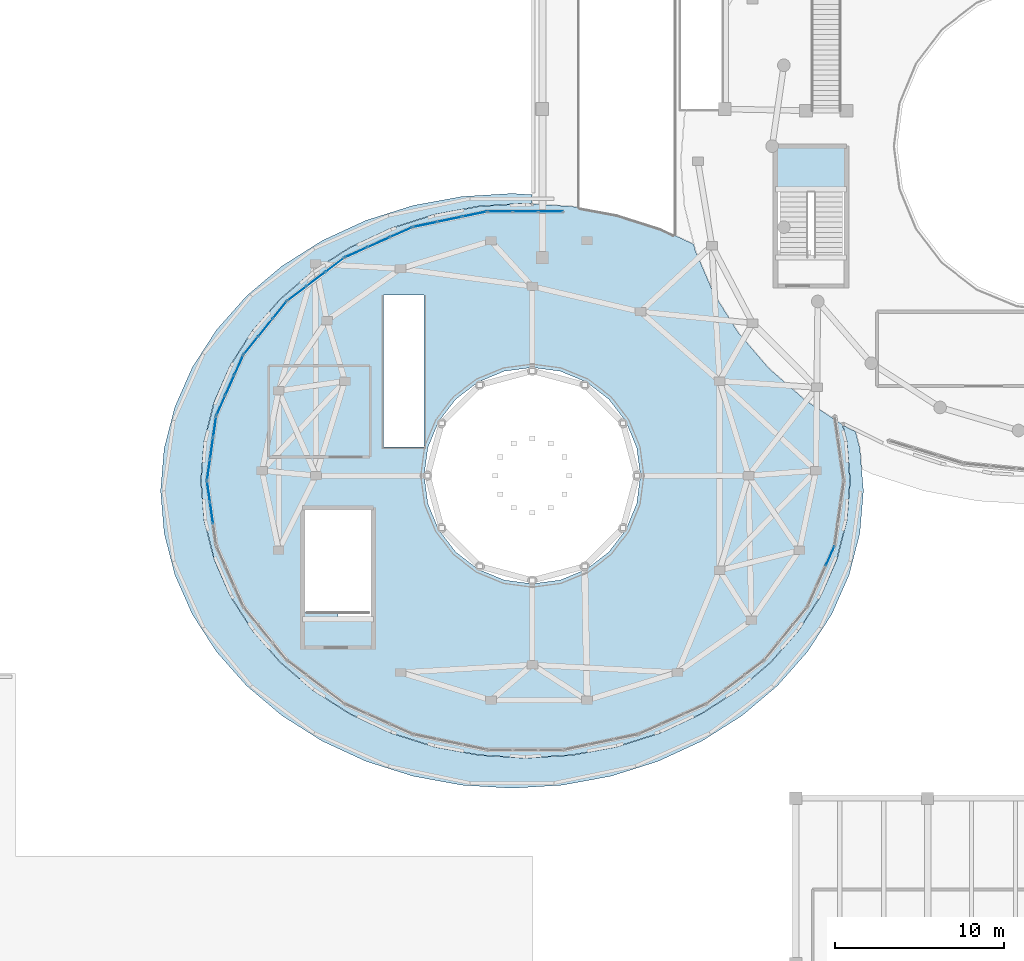
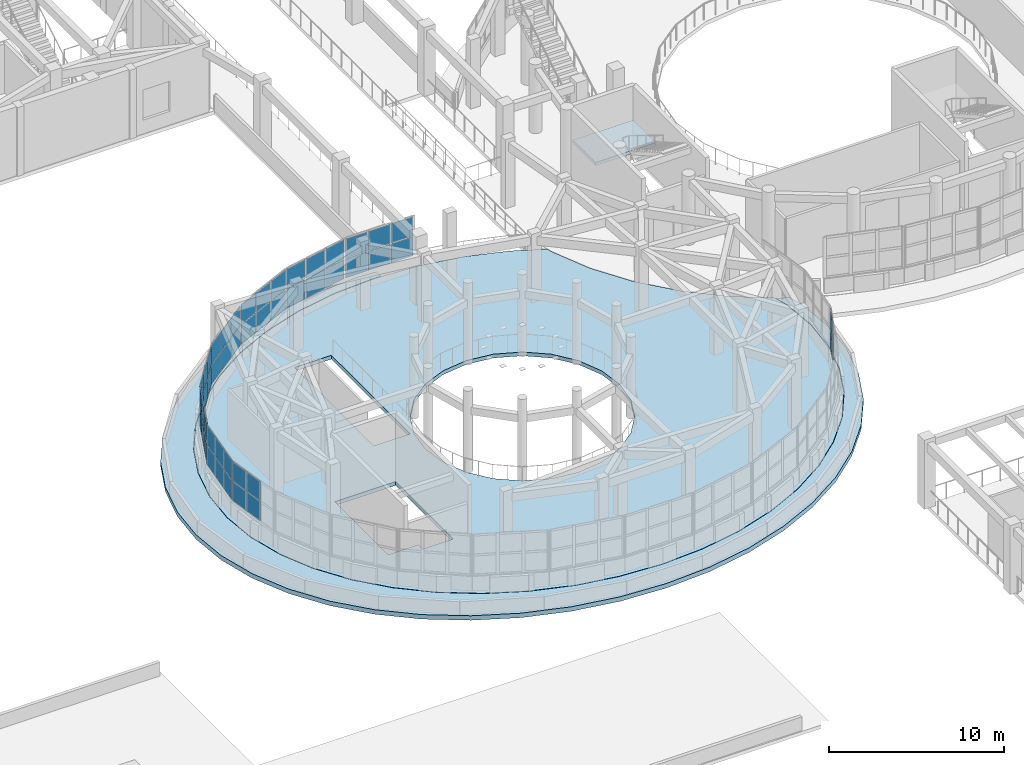
# One storey, part 57 of 98: 48 plates, 3 slabs, 10 elements without a shape of their own.
"""IFC4 building model written with IfcOpenShell, lengths in metres."""

from ifc_helpers import new_model, si_unit, direction, frame, origin, origin_2d, place, context, subcontext, project, spatial, polyline, rectangle, outline, extrude, material, layer, layer_set, type_object, element, aggregate, save


model = new_model("IFC4")

# Units and contexts
model_context = context("Model", 3, precision=1e-05, world=origin(), true_north=direction((0.0, 1.0)))
body_context = subcontext(model_context, "Body", "Model", "MODEL_VIEW")
ifc_project = project(units=[si_unit("LENGTHUNIT", "METRE"), si_unit("AREAUNIT", "SQUARE_METRE"), si_unit("VOLUMEUNIT", "CUBIC_METRE"), si_unit("PLANEANGLEUNIT", "RADIAN"), si_unit("MASSUNIT", "GRAM", prefix="KILO")], contexts=[model_context])

# Site, building, storey
site_placement = place(None, origin())
site = spatial("IfcSite", under=ifc_project, at=site_placement, CompositionType="ELEMENT")
building_placement = place(site_placement, origin())
building = spatial("IfcBuilding", under=site, at=building_placement, Name="Pelvatis Terrace Science Centre", CompositionType="ELEMENT")
storey_placement = place(building_placement, frame((0.0, 0.0, 5.39990234375)))
storey = spatial("IfcBuildingStorey", under=building, at=storey_placement, Name="L01", CompositionType="ELEMENT", Elevation=5.39990234375)

# Curtain wall, plates
ifc_material_1 = material(Name="Bronze-anodised aluminium and laminated glass", Category="aluminium")
ifc_layer_1 = layer(ifc_material_1, 0.179931640625)
ifc_layer_set_1 = layer_set([ifc_layer_1], Name="Bronze-anodised aluminium and laminated glass")
curtain_wall_type = type_object("IfcCurtainWallType", Name="CW-RIBBON-A", PredefinedType="NOTDEFINED", material=ifc_layer_set_1)
curtain_wall_1_placement = place(storey_placement, origin())
curtain_wall_1 = element("IfcCurtainWall", 1, at=curtain_wall_1_placement, inside=storey, type_object=curtain_wall_type, Name="Ribbon curtain wall CW-023 (L01)", PredefinedType="NOTDEFINED")
ifc_material_2 = material(Name="Low-e laminated solar-control double glazing", Category="glass")
ifc_layer_2 = layer(ifc_material_2, 0.031982421875)
ifc_layer_set_2 = layer_set([ifc_layer_2], Name="Low-e laminated solar-control double glazing")
plate_type = type_object("IfcPlateType", Name="CWP-IGU-32", PredefinedType="CURTAIN_PANEL", material=ifc_layer_set_2)
plate_1_placement = place(storey_placement, frame((47.899658203125, 50.73291015625, 1.080078125), z_axis=(0.0, 0.0, 1.0), x_axis=(-1.0, 0.0, 0.0)))
plate_1 = element("IfcPlate", 2, at=plate_1_placement, type_object=plate_type, Name="CW-023 panel 1.1", PredefinedType="CURTAIN_PANEL", context=body_context, shape_type="SweptSolid", body=[
    extrude(rectangle(XDim=1.4248046875, YDim=0.031982421875, at=origin_2d()), origin(), (0.0, 0.0, 1.0), 1.330078125),
])
plate_2_placement = place(storey_placement, frame((47.899658203125, 50.73291015625, 2.469970703125), z_axis=(0.0, 0.0, 1.0), x_axis=(-1.0, 0.0, 0.0)))
plate_2 = element("IfcPlate", 3, at=plate_2_placement, type_object=plate_type, Name="CW-023 panel 1.2", PredefinedType="CURTAIN_PANEL", context=body_context, shape_type="SweptSolid", body=[
    extrude(rectangle(XDim=1.4248046875, YDim=0.031982421875, at=origin_2d()), origin(), (0.0, 0.0, 1.0), 1.330078125),
])
plate_3_placement = place(storey_placement, frame((46.39990234375, 50.73291015625, 1.080078125), z_axis=(0.0, 0.0, 1.0), x_axis=(-1.0, 0.0, 0.0)))
plate_3 = element("IfcPlate", 4, at=plate_3_placement, type_object=plate_type, Name="CW-023 panel 2.1", PredefinedType="CURTAIN_PANEL", context=body_context, shape_type="SweptSolid", body=[
    extrude(rectangle(XDim=1.454833984375, YDim=0.031982421875, at=origin_2d()), origin(), (0.0, 0.0, 1.0), 1.330078125),
])
plate_4_placement = place(storey_placement, frame((46.39990234375, 50.73291015625, 2.469970703125), z_axis=(0.0, 0.0, 1.0), x_axis=(-1.0, 0.0, 0.0)))
plate_4 = element("IfcPlate", 5, at=plate_4_placement, type_object=plate_type, Name="CW-023 panel 2.2", PredefinedType="CURTAIN_PANEL", context=body_context, shape_type="SweptSolid", body=[
    extrude(rectangle(XDim=1.454833984375, YDim=0.031982421875, at=origin_2d()), origin(), (0.0, 0.0, 1.0), 1.330078125),
])
plate_5_placement = place(storey_placement, frame((44.900146484375, 50.73291015625, 1.080078125), z_axis=(0.0, 0.0, 1.0), x_axis=(-1.0, 0.0, 0.0)))
plate_5 = element("IfcPlate", 6, at=plate_5_placement, type_object=plate_type, Name="CW-023 panel 3.1", PredefinedType="CURTAIN_PANEL", context=body_context, shape_type="SweptSolid", body=[
    extrude(rectangle(XDim=1.4248046875, YDim=0.031982421875, at=origin_2d()), origin(), (0.0, 0.0, 1.0), 1.330078125),
])
plate_6_placement = place(storey_placement, frame((44.900146484375, 50.73291015625, 2.469970703125), z_axis=(0.0, 0.0, 1.0), x_axis=(-1.0, 0.0, 0.0)))
plate_6 = element("IfcPlate", 7, at=plate_6_placement, type_object=plate_type, Name="CW-023 panel 3.2", PredefinedType="CURTAIN_PANEL", context=body_context, shape_type="SweptSolid", body=[
    extrude(rectangle(XDim=1.4248046875, YDim=0.031982421875, at=origin_2d()), origin(), (0.0, 0.0, 1.0), 1.330078125),
])
aggregate(curtain_wall_1, [plate_1, plate_2, plate_3, plate_4, plate_5, plate_6])

curtain_wall_2_placement = place(storey_placement, origin())
curtain_wall_2 = element("IfcCurtainWall", 8, at=curtain_wall_2_placement, inside=storey, type_object=curtain_wall_type, Name="Ribbon curtain wall CW-024 (L01)", PredefinedType="NOTDEFINED")
plate_7_placement = place(storey_placement, frame((43.3779296875, 50.57568359375, 1.080078125), z_axis=(0.0, 0.0, 1.0), x_axis=(-0.978678561862, -0.205397839698, 0.0)))
plate_7 = element("IfcPlate", 9, at=plate_7_placement, type_object=plate_type, Name="CW-024 panel 1.1", PredefinedType="CURTAIN_PANEL", context=body_context, shape_type="SweptSolid", body=[
    extrude(rectangle(XDim=1.412841796875, YDim=0.031982421875, at=origin_2d()), origin(), (0.0, 0.0, 1.0), 1.330078125),
])
plate_8_placement = place(storey_placement, frame((43.3779296875, 50.57568359375, 2.469970703125), z_axis=(0.0, 0.0, 1.0), x_axis=(-0.978678561862, -0.205397839698, 0.0)))
plate_8 = element("IfcPlate", 10, at=plate_8_placement, type_object=plate_type, Name="CW-024 panel 1.2", PredefinedType="CURTAIN_PANEL", context=body_context, shape_type="SweptSolid", body=[
    extrude(rectangle(XDim=1.412841796875, YDim=0.031982421875, at=origin_2d()), origin(), (0.0, 0.0, 1.0), 1.330078125),
])
plate_9_placement = place(storey_placement, frame((41.921875, 50.27001953125, 1.080078125), z_axis=(0.0, 0.0, 1.0), x_axis=(-0.978678561862, -0.205397839698, 0.0)))
plate_9 = element("IfcPlate", 11, at=plate_9_placement, type_object=plate_type, Name="CW-024 panel 2.1", PredefinedType="CURTAIN_PANEL", context=body_context, shape_type="SweptSolid", body=[
    extrude(rectangle(XDim=1.44287109375, YDim=0.031982421875, at=origin_2d()), origin(), (0.0, 0.0, 1.0), 1.330078125),
])
plate_10_placement = place(storey_placement, frame((41.921875, 50.27001953125, 2.469970703125), z_axis=(0.0, 0.0, 1.0), x_axis=(-0.978678561862, -0.205397839698, 0.0)))
plate_10 = element("IfcPlate", 12, at=plate_10_placement, type_object=plate_type, Name="CW-024 panel 2.2", PredefinedType="CURTAIN_PANEL", context=body_context, shape_type="SweptSolid", body=[
    extrude(rectangle(XDim=1.44287109375, YDim=0.031982421875, at=origin_2d()), origin(), (0.0, 0.0, 1.0), 1.330078125),
])
plate_11_placement = place(storey_placement, frame((40.4658203125, 49.96435546875, 1.080078125), z_axis=(0.0, 0.0, 1.0), x_axis=(-0.978678561862, -0.205397839698, 0.0)))
plate_11 = element("IfcPlate", 13, at=plate_11_placement, type_object=plate_type, Name="CW-024 panel 3.1", PredefinedType="CURTAIN_PANEL", context=body_context, shape_type="SweptSolid", body=[
    extrude(rectangle(XDim=1.412841796875, YDim=0.031982421875, at=origin_2d()), origin(), (0.0, 0.0, 1.0), 1.330078125),
])
plate_12_placement = place(storey_placement, frame((40.4658203125, 49.96435546875, 2.469970703125), z_axis=(0.0, 0.0, 1.0), x_axis=(-0.978678561862, -0.205397839698, 0.0)))
plate_12 = element("IfcPlate", 14, at=plate_12_placement, type_object=plate_type, Name="CW-024 panel 3.2", PredefinedType="CURTAIN_PANEL", context=body_context, shape_type="SweptSolid", body=[
    extrude(rectangle(XDim=1.412841796875, YDim=0.031982421875, at=origin_2d()), origin(), (0.0, 0.0, 1.0), 1.330078125),
])
aggregate(curtain_wall_2, [plate_7, plate_8, plate_9, plate_10, plate_11, plate_12])

curtain_wall_3_placement = place(storey_placement, origin())
curtain_wall_3 = element("IfcCurtainWall", 15, at=curtain_wall_3_placement, inside=storey, type_object=curtain_wall_type, Name="Ribbon curtain wall CW-025 (L01)", PredefinedType="NOTDEFINED")
plate_13_placement = place(storey_placement, frame((39.031494140625, 49.501220703125, 1.080078125), z_axis=(0.0, 0.0, 1.0), x_axis=(-0.91298533394, -0.407992377394, 0.0)))
plate_13 = element("IfcPlate", 16, at=plate_13_placement, type_object=plate_type, Name="CW-025 panel 1.1", PredefinedType="CURTAIN_PANEL", context=body_context, shape_type="SweptSolid", body=[
    extrude(rectangle(XDim=1.379150390625, YDim=0.031982421875, at=origin_2d()), origin(), (0.0, 0.0, 1.0), 1.330078125),
])
plate_14_placement = place(storey_placement, frame((39.031494140625, 49.501220703125, 2.469970703125), z_axis=(0.0, 0.0, 1.0), x_axis=(-0.91298533394, -0.407992377394, 0.0)))
plate_14 = element("IfcPlate", 17, at=plate_14_placement, type_object=plate_type, Name="CW-025 panel 1.2", PredefinedType="CURTAIN_PANEL", context=body_context, shape_type="SweptSolid", body=[
    extrude(rectangle(XDim=1.379150390625, YDim=0.031982421875, at=origin_2d()), origin(), (0.0, 0.0, 1.0), 1.330078125),
])
plate_15_placement = place(storey_placement, frame((37.703857421875, 48.907958984375, 1.080078125), z_axis=(0.0, 0.0, 1.0), x_axis=(-0.91298533394, -0.407992377394, 0.0)))
plate_15 = element("IfcPlate", 18, at=plate_15_placement, type_object=plate_type, Name="CW-025 panel 2.1", PredefinedType="CURTAIN_PANEL", context=body_context, shape_type="SweptSolid", body=[
    extrude(rectangle(XDim=1.4091796875, YDim=0.031982421875, at=origin_2d()), origin(), (0.0, 0.0, 1.0), 1.330078125),
])
plate_16_placement = place(storey_placement, frame((37.703857421875, 48.907958984375, 2.469970703125), z_axis=(0.0, 0.0, 1.0), x_axis=(-0.91298533394, -0.407992377394, 0.0)))
plate_16 = element("IfcPlate", 19, at=plate_16_placement, type_object=plate_type, Name="CW-025 panel 2.2", PredefinedType="CURTAIN_PANEL", context=body_context, shape_type="SweptSolid", body=[
    extrude(rectangle(XDim=1.4091796875, YDim=0.031982421875, at=origin_2d()), origin(), (0.0, 0.0, 1.0), 1.330078125),
])
plate_17_placement = place(storey_placement, frame((36.376220703125, 48.314697265625, 1.080078125), z_axis=(0.0, 0.0, 1.0), x_axis=(-0.91298533394, -0.407992377394, 0.0)))
plate_17 = element("IfcPlate", 20, at=plate_17_placement, type_object=plate_type, Name="CW-025 panel 3.1", PredefinedType="CURTAIN_PANEL", context=body_context, shape_type="SweptSolid", body=[
    extrude(rectangle(XDim=1.379150390625, YDim=0.031982421875, at=origin_2d()), origin(), (0.0, 0.0, 1.0), 1.330078125),
])
plate_18_placement = place(storey_placement, frame((36.376220703125, 48.314697265625, 2.469970703125), z_axis=(0.0, 0.0, 1.0), x_axis=(-0.91298533394, -0.407992377394, 0.0)))
plate_18 = element("IfcPlate", 21, at=plate_18_placement, type_object=plate_type, Name="CW-025 panel 3.2", PredefinedType="CURTAIN_PANEL", context=body_context, shape_type="SweptSolid", body=[
    extrude(rectangle(XDim=1.379150390625, YDim=0.031982421875, at=origin_2d()), origin(), (0.0, 0.0, 1.0), 1.330078125),
])
aggregate(curtain_wall_3, [plate_13, plate_14, plate_15, plate_16, plate_17, plate_18])

curtain_wall_4_placement = place(storey_placement, origin())
curtain_wall_4 = element("IfcCurtainWall", 22, at=curtain_wall_4_placement, inside=storey, type_object=curtain_wall_type, Name="Ribbon curtain wall CW-026 (L01)", PredefinedType="NOTDEFINED")
plate_19_placement = place(storey_placement, frame((35.113037109375, 47.572265625, 1.080078125), z_axis=(0.0, 0.0, 1.0), x_axis=(-0.798335200411, -0.602213340756, 0.0)))
plate_19 = element("IfcPlate", 23, at=plate_19_placement, type_object=plate_type, Name="CW-026 panel 1.1", PredefinedType="CURTAIN_PANEL", context=body_context, shape_type="SweptSolid", body=[
    extrude(rectangle(XDim=1.330322265625, YDim=0.031982421875, at=origin_2d()), origin(), (0.0, 0.0, 1.0), 1.330078125),
])
plate_20_placement = place(storey_placement, frame((35.113037109375, 47.572265625, 2.469970703125), z_axis=(0.0, 0.0, 1.0), x_axis=(-0.798335200411, -0.602213340756, 0.0)))
plate_20 = element("IfcPlate", 24, at=plate_20_placement, type_object=plate_type, Name="CW-026 panel 1.2", PredefinedType="CURTAIN_PANEL", context=body_context, shape_type="SweptSolid", body=[
    extrude(rectangle(XDim=1.330322265625, YDim=0.031982421875, at=origin_2d()), origin(), (0.0, 0.0, 1.0), 1.330078125),
])
plate_21_placement = place(storey_placement, frame((33.9912109375, 46.72607421875, 1.080078125), z_axis=(0.0, 0.0, 1.0), x_axis=(-0.798335200411, -0.602213340756, 0.0)))
plate_21 = element("IfcPlate", 25, at=plate_21_placement, type_object=plate_type, Name="CW-026 panel 2.1", PredefinedType="CURTAIN_PANEL", context=body_context, shape_type="SweptSolid", body=[
    extrude(rectangle(XDim=1.360107421875, YDim=0.031982421875, at=origin_2d()), origin(), (0.0, 0.0, 1.0), 1.330078125),
])
plate_22_placement = place(storey_placement, frame((33.9912109375, 46.72607421875, 2.469970703125), z_axis=(0.0, 0.0, 1.0), x_axis=(-0.798335200411, -0.602213340756, 0.0)))
plate_22 = element("IfcPlate", 26, at=plate_22_placement, type_object=plate_type, Name="CW-026 panel 2.2", PredefinedType="CURTAIN_PANEL", context=body_context, shape_type="SweptSolid", body=[
    extrude(rectangle(XDim=1.360107421875, YDim=0.031982421875, at=origin_2d()), origin(), (0.0, 0.0, 1.0), 1.330078125),
])
plate_23_placement = place(storey_placement, frame((32.869384765625, 45.8798828125, 1.080078125), z_axis=(0.0, 0.0, 1.0), x_axis=(-0.798335200411, -0.602213340756, 0.0)))
plate_23 = element("IfcPlate", 27, at=plate_23_placement, type_object=plate_type, Name="CW-026 panel 3.1", PredefinedType="CURTAIN_PANEL", context=body_context, shape_type="SweptSolid", body=[
    extrude(rectangle(XDim=1.330322265625, YDim=0.031982421875, at=origin_2d()), origin(), (0.0, 0.0, 1.0), 1.330078125),
])
plate_24_placement = place(storey_placement, frame((32.869384765625, 45.8798828125, 2.469970703125), z_axis=(0.0, 0.0, 1.0), x_axis=(-0.798335200411, -0.602213340756, 0.0)))
plate_24 = element("IfcPlate", 28, at=plate_24_placement, type_object=plate_type, Name="CW-026 panel 3.2", PredefinedType="CURTAIN_PANEL", context=body_context, shape_type="SweptSolid", body=[
    extrude(rectangle(XDim=1.330322265625, YDim=0.031982421875, at=origin_2d()), origin(), (0.0, 0.0, 1.0), 1.330078125),
])
aggregate(curtain_wall_4, [plate_19, plate_20, plate_21, plate_22, plate_23, plate_24])

curtain_wall_5_placement = place(storey_placement, origin())
curtain_wall_5 = element("IfcCurtainWall", 29, at=curtain_wall_5_placement, inside=storey, type_object=curtain_wall_type, Name="Ribbon curtain wall CW-027 (L01)", PredefinedType="NOTDEFINED")
plate_25_placement = place(storey_placement, frame((31.850830078125, 44.900634765625, 1.080078125), z_axis=(0.0, 0.0, 1.0), x_axis=(-0.629733533753, -0.776811223185, 0.0)))
plate_25 = element("IfcPlate", 30, at=plate_25_placement, type_object=plate_type, Name="CW-027 panel 1.1", PredefinedType="CURTAIN_PANEL", context=body_context, shape_type="SweptSolid", body=[
    extrude(rectangle(XDim=1.2763671875, YDim=0.031982421875, at=origin_2d()), origin(), (0.0, 0.0, 1.0), 1.330078125),
])
plate_26_placement = place(storey_placement, frame((31.850830078125, 44.900634765625, 2.469970703125), z_axis=(0.0, 0.0, 1.0), x_axis=(-0.629733533753, -0.776811223185, 0.0)))
plate_26 = element("IfcPlate", 31, at=plate_26_placement, type_object=plate_type, Name="CW-027 panel 1.2", PredefinedType="CURTAIN_PANEL", context=body_context, shape_type="SweptSolid", body=[
    extrude(rectangle(XDim=1.2763671875, YDim=0.031982421875, at=origin_2d()), origin(), (0.0, 0.0, 1.0), 1.330078125),
])
plate_27_placement = place(storey_placement, frame((31.0, 43.850830078125, 1.080078125), z_axis=(0.0, 0.0, 1.0), x_axis=(-0.629733533753, -0.776811223185, 0.0)))
plate_27 = element("IfcPlate", 32, at=plate_27_placement, type_object=plate_type, Name="CW-027 panel 2.1", PredefinedType="CURTAIN_PANEL", context=body_context, shape_type="SweptSolid", body=[
    extrude(rectangle(XDim=1.306396484375, YDim=0.031982421875, at=origin_2d()), origin(), (0.0, 0.0, 1.0), 1.330078125),
])
plate_28_placement = place(storey_placement, frame((31.0, 43.850830078125, 2.469970703125), z_axis=(0.0, 0.0, 1.0), x_axis=(-0.629733533753, -0.776811223185, 0.0)))
plate_28 = element("IfcPlate", 33, at=plate_28_placement, type_object=plate_type, Name="CW-027 panel 2.2", PredefinedType="CURTAIN_PANEL", context=body_context, shape_type="SweptSolid", body=[
    extrude(rectangle(XDim=1.306396484375, YDim=0.031982421875, at=origin_2d()), origin(), (0.0, 0.0, 1.0), 1.330078125),
])
plate_29_placement = place(storey_placement, frame((30.14892578125, 42.80126953125, 1.080078125), z_axis=(0.0, 0.0, 1.0), x_axis=(-0.629733533753, -0.776811223185, 0.0)))
plate_29 = element("IfcPlate", 34, at=plate_29_placement, type_object=plate_type, Name="CW-027 panel 3.1", PredefinedType="CURTAIN_PANEL", context=body_context, shape_type="SweptSolid", body=[
    extrude(rectangle(XDim=1.2763671875, YDim=0.031982421875, at=origin_2d()), origin(), (0.0, 0.0, 1.0), 1.330078125),
])
plate_30_placement = place(storey_placement, frame((30.14892578125, 42.80126953125, 2.469970703125), z_axis=(0.0, 0.0, 1.0), x_axis=(-0.629733533753, -0.776811223185, 0.0)))
plate_30 = element("IfcPlate", 35, at=plate_30_placement, type_object=plate_type, Name="CW-027 panel 3.2", PredefinedType="CURTAIN_PANEL", context=body_context, shape_type="SweptSolid", body=[
    extrude(rectangle(XDim=1.2763671875, YDim=0.031982421875, at=origin_2d()), origin(), (0.0, 0.0, 1.0), 1.330078125),
])
aggregate(curtain_wall_5, [plate_25, plate_26, plate_27, plate_28, plate_29, plate_30])

curtain_wall_6_placement = place(storey_placement, origin())
curtain_wall_6 = element("IfcCurtainWall", 36, at=curtain_wall_6_placement, inside=storey, type_object=curtain_wall_type, Name="Ribbon curtain wall CW-028 (L01)", PredefinedType="NOTDEFINED")
plate_31_placement = place(storey_placement, frame((29.4345703125, 41.64208984375, 1.080078125), z_axis=(0.0, 0.0, 1.0), x_axis=(-0.406895029669, -0.913474922935, 0.0)))
plate_31 = element("IfcPlate", 37, at=plate_31_placement, type_object=plate_type, Name="CW-028 panel 1.1", PredefinedType="CURTAIN_PANEL", context=body_context, shape_type="SweptSolid", body=[
    extrude(rectangle(XDim=1.230224609375, YDim=0.031982421875, at=origin_2d()), origin(), (0.0, 0.0, 1.0), 1.330078125),
])
plate_32_placement = place(storey_placement, frame((29.4345703125, 41.64208984375, 2.469970703125), z_axis=(0.0, 0.0, 1.0), x_axis=(-0.406895029669, -0.913474922935, 0.0)))
plate_32 = element("IfcPlate", 38, at=plate_32_placement, type_object=plate_type, Name="CW-028 panel 1.2", PredefinedType="CURTAIN_PANEL", context=body_context, shape_type="SweptSolid", body=[
    extrude(rectangle(XDim=1.230224609375, YDim=0.031982421875, at=origin_2d()), origin(), (0.0, 0.0, 1.0), 1.330078125),
])
plate_33_placement = place(storey_placement, frame((28.903564453125, 40.449951171875, 1.080078125), z_axis=(0.0, 0.0, 1.0), x_axis=(-0.406895029669, -0.913474922935, 0.0)))
plate_33 = element("IfcPlate", 39, at=plate_33_placement, type_object=plate_type, Name="CW-028 panel 2.1", PredefinedType="CURTAIN_PANEL", context=body_context, shape_type="SweptSolid", body=[
    extrude(rectangle(XDim=1.26025390625, YDim=0.031982421875, at=origin_2d()), origin(), (0.0, 0.0, 1.0), 1.330078125),
])
plate_34_placement = place(storey_placement, frame((28.903564453125, 40.449951171875, 2.469970703125), z_axis=(0.0, 0.0, 1.0), x_axis=(-0.406895029669, -0.913474922935, 0.0)))
plate_34 = element("IfcPlate", 40, at=plate_34_placement, type_object=plate_type, Name="CW-028 panel 2.2", PredefinedType="CURTAIN_PANEL", context=body_context, shape_type="SweptSolid", body=[
    extrude(rectangle(XDim=1.26025390625, YDim=0.031982421875, at=origin_2d()), origin(), (0.0, 0.0, 1.0), 1.330078125),
])
plate_35_placement = place(storey_placement, frame((28.372314453125, 39.257568359375, 1.080078125), z_axis=(0.0, 0.0, 1.0), x_axis=(-0.406895029669, -0.913474922935, 0.0)))
plate_35 = element("IfcPlate", 41, at=plate_35_placement, type_object=plate_type, Name="CW-028 panel 3.1", PredefinedType="CURTAIN_PANEL", context=body_context, shape_type="SweptSolid", body=[
    extrude(rectangle(XDim=1.230224609375, YDim=0.031982421875, at=origin_2d()), origin(), (0.0, 0.0, 1.0), 1.330078125),
])
plate_36_placement = place(storey_placement, frame((28.372314453125, 39.257568359375, 2.469970703125), z_axis=(0.0, 0.0, 1.0), x_axis=(-0.406895029669, -0.913474922935, 0.0)))
plate_36 = element("IfcPlate", 42, at=plate_36_placement, type_object=plate_type, Name="CW-028 panel 3.2", PredefinedType="CURTAIN_PANEL", context=body_context, shape_type="SweptSolid", body=[
    extrude(rectangle(XDim=1.230224609375, YDim=0.031982421875, at=origin_2d()), origin(), (0.0, 0.0, 1.0), 1.330078125),
])
aggregate(curtain_wall_6, [plate_31, plate_32, plate_33, plate_34, plate_35, plate_36])

curtain_wall_7_placement = place(storey_placement, origin())
curtain_wall_7 = element("IfcCurtainWall", 43, at=curtain_wall_7_placement, inside=storey, type_object=curtain_wall_type, Name="Ribbon curtain wall CW-029 (L01)", PredefinedType="NOTDEFINED")
plate_37_placement = place(storey_placement, frame((28.00439453125, 37.986083984375, 1.080078125), z_axis=(0.0, 0.0, 1.0), x_axis=(-0.141165156196, -0.989986059839, 0.0)))
plate_37 = element("IfcPlate", 44, at=plate_37_placement, type_object=plate_type, Name="CW-029 panel 1.1", PredefinedType="CURTAIN_PANEL", context=body_context, shape_type="SweptSolid", body=[
    extrude(rectangle(XDim=1.203369140625, YDim=0.031982421875, at=origin_2d()), origin(), (0.0, 0.0, 1.0), 1.330078125),
])
plate_38_placement = place(storey_placement, frame((28.00439453125, 37.986083984375, 2.469970703125), z_axis=(0.0, 0.0, 1.0), x_axis=(-0.141165156196, -0.989986059839, 0.0)))
plate_38 = element("IfcPlate", 45, at=plate_38_placement, type_object=plate_type, Name="CW-029 panel 1.2", PredefinedType="CURTAIN_PANEL", context=body_context, shape_type="SweptSolid", body=[
    extrude(rectangle(XDim=1.203369140625, YDim=0.031982421875, at=origin_2d()), origin(), (0.0, 0.0, 1.0), 1.330078125),
])
plate_39_placement = place(storey_placement, frame((27.82373046875, 36.720458984375, 1.080078125), z_axis=(0.0, 0.0, 1.0), x_axis=(-0.141165156196, -0.989986059839, 0.0)))
plate_39 = element("IfcPlate", 46, at=plate_39_placement, type_object=plate_type, Name="CW-029 panel 2.1", PredefinedType="CURTAIN_PANEL", context=body_context, shape_type="SweptSolid", body=[
    extrude(rectangle(XDim=1.2333984375, YDim=0.031982421875, at=origin_2d()), origin(), (0.0, 0.0, 1.0), 1.330078125),
])
plate_40_placement = place(storey_placement, frame((27.82373046875, 36.720458984375, 2.469970703125), z_axis=(0.0, 0.0, 1.0), x_axis=(-0.141165156196, -0.989986059839, 0.0)))
plate_40 = element("IfcPlate", 47, at=plate_40_placement, type_object=plate_type, Name="CW-029 panel 2.2", PredefinedType="CURTAIN_PANEL", context=body_context, shape_type="SweptSolid", body=[
    extrude(rectangle(XDim=1.2333984375, YDim=0.031982421875, at=origin_2d()), origin(), (0.0, 0.0, 1.0), 1.330078125),
])
plate_41_placement = place(storey_placement, frame((27.643310546875, 35.455078125, 1.080078125), z_axis=(0.0, 0.0, 1.0), x_axis=(-0.141165156196, -0.989986059839, 0.0)))
plate_41 = element("IfcPlate", 48, at=plate_41_placement, type_object=plate_type, Name="CW-029 panel 3.1", PredefinedType="CURTAIN_PANEL", context=body_context, shape_type="SweptSolid", body=[
    extrude(rectangle(XDim=1.203369140625, YDim=0.031982421875, at=origin_2d()), origin(), (0.0, 0.0, 1.0), 1.330078125),
])
plate_42_placement = place(storey_placement, frame((27.643310546875, 35.455078125, 2.469970703125), z_axis=(0.0, 0.0, 1.0), x_axis=(-0.141165156196, -0.989986059839, 0.0)))
plate_42 = element("IfcPlate", 49, at=plate_42_placement, type_object=plate_type, Name="CW-029 panel 3.2", PredefinedType="CURTAIN_PANEL", context=body_context, shape_type="SweptSolid", body=[
    extrude(rectangle(XDim=1.203369140625, YDim=0.031982421875, at=origin_2d()), origin(), (0.0, 0.0, 1.0), 1.330078125),
])
aggregate(curtain_wall_7, [plate_37, plate_38, plate_39, plate_40, plate_41, plate_42])

curtain_wall_8_placement = place(storey_placement, origin())
curtain_wall_8 = element("IfcCurtainWall", 50, at=curtain_wall_8_placement, inside=storey, type_object=curtain_wall_type, Name="Ribbon curtain wall CW-030 (L01)", PredefinedType="NOTDEFINED")
plate_43_placement = place(storey_placement, frame((27.643310546875, 34.14501953125, 1.080078125), z_axis=(0.0, 0.0, 1.0), x_axis=(0.141165156196, -0.989986059839, 0.0)))
plate_43 = element("IfcPlate", 51, at=plate_43_placement, type_object=plate_type, Name="CW-030 panel 1.1", PredefinedType="CURTAIN_PANEL", context=body_context, shape_type="SweptSolid", body=[
    extrude(rectangle(XDim=1.203369140625, YDim=0.031982421875, at=origin_2d()), origin(), (0.0, 0.0, 1.0), 1.330078125),
])
plate_44_placement = place(storey_placement, frame((27.643310546875, 34.14501953125, 2.469970703125), z_axis=(0.0, 0.0, 1.0), x_axis=(0.141165156196, -0.989986059839, 0.0)))
plate_44 = element("IfcPlate", 52, at=plate_44_placement, type_object=plate_type, Name="CW-030 panel 1.2", PredefinedType="CURTAIN_PANEL", context=body_context, shape_type="SweptSolid", body=[
    extrude(rectangle(XDim=1.203369140625, YDim=0.031982421875, at=origin_2d()), origin(), (0.0, 0.0, 1.0), 1.330078125),
])
plate_45_placement = place(storey_placement, frame((27.82373046875, 32.87939453125, 1.080078125), z_axis=(0.0, 0.0, 1.0), x_axis=(0.141165156196, -0.989986059839, 0.0)))
plate_45 = element("IfcPlate", 53, at=plate_45_placement, type_object=plate_type, Name="CW-030 panel 2.1", PredefinedType="CURTAIN_PANEL", context=body_context, shape_type="SweptSolid", body=[
    extrude(rectangle(XDim=1.2333984375, YDim=0.031982421875, at=origin_2d()), origin(), (0.0, 0.0, 1.0), 1.330078125),
])
plate_46_placement = place(storey_placement, frame((27.82373046875, 32.87939453125, 2.469970703125), z_axis=(0.0, 0.0, 1.0), x_axis=(0.141165156196, -0.989986059839, 0.0)))
plate_46 = element("IfcPlate", 54, at=plate_46_placement, type_object=plate_type, Name="CW-030 panel 2.2", PredefinedType="CURTAIN_PANEL", context=body_context, shape_type="SweptSolid", body=[
    extrude(rectangle(XDim=1.2333984375, YDim=0.031982421875, at=origin_2d()), origin(), (0.0, 0.0, 1.0), 1.330078125),
])
aggregate(curtain_wall_8, [plate_43, plate_44, plate_45, plate_46])

curtain_wall_9_placement = place(storey_placement, origin())
curtain_wall_9 = element("IfcCurtainWall", 55, at=curtain_wall_9_placement, inside=storey, type_object=curtain_wall_type, Name="Ribbon curtain wall CW-041 (L01)", PredefinedType="NOTDEFINED")
plate_47_placement = place(storey_placement, frame((64.427734375, 30.34228515625, 1.080078125), z_axis=(0.0, 0.0, 1.0), x_axis=(0.406895029669, 0.913474922935, 0.0)))
plate_47 = element("IfcPlate", 56, at=plate_47_placement, type_object=plate_type, Name="CW-041 panel 3.1", PredefinedType="CURTAIN_PANEL", context=body_context, shape_type="SweptSolid", body=[
    extrude(rectangle(XDim=1.230224609375, YDim=0.031982421875, at=origin_2d()), origin(), (0.0, 0.0, 1.0), 1.330078125),
])
plate_48_placement = place(storey_placement, frame((64.427734375, 30.34228515625, 2.469970703125), z_axis=(0.0, 0.0, 1.0), x_axis=(0.406895029669, 0.913474922935, 0.0)))
plate_48 = element("IfcPlate", 57, at=plate_48_placement, type_object=plate_type, Name="CW-041 panel 3.2", PredefinedType="CURTAIN_PANEL", context=body_context, shape_type="SweptSolid", body=[
    extrude(rectangle(XDim=1.230224609375, YDim=0.031982421875, at=origin_2d()), origin(), (0.0, 0.0, 1.0), 1.330078125),
])
aggregate(curtain_wall_9, [plate_47, plate_48])

# Slab
ifc_material_3 = material(Name="Concrete C35/45", Category="concrete")
ifc_layer_3 = layer(ifc_material_3, 0.264892578125)
ifc_layer_set_3 = layer_set([ifc_layer_3], Name="Concrete C35/45")
slab_type_1 = type_object("IfcSlabType", Name="SLB-FLR-265", PredefinedType="FLOOR", material=ifc_layer_set_3)
slab_1_placement = place(storey_placement, frame((0.0, 0.0, -0.264892578125)))
element("IfcSlab", 58, at=slab_1_placement, inside=storey, type_object=slab_type_1, Name="L01 Entrance Rotunda overlook ring slab", PredefinedType="FLOOR", context=body_context, shape_type="SweptSolid", body=[
    extrude(outline(polyline([(64.822265625, 30.1796875), (63.864990234375, 27.9873046875), (62.552001953125, 25.93359375), (60.910400390625, 24.060302734375), (58.973388671875, 22.40576171875), (56.7802734375, 21.00341796875), (54.3759765625, 19.882080078125), (51.809326171875, 19.064208984375), (49.13232421875, 18.56689453125), (46.39990234375, 18.39990234375), (43.66748046875, 18.56689453125), (40.99072265625, 19.064208984375), (38.424072265625, 19.882080078125), (36.019775390625, 21.00341796875), (33.82666015625, 22.40576171875), (31.8896484375, 24.060302734375), (30.247802734375, 25.93359375), (28.93505859375, 27.9873046875), (27.977783203125, 30.1796875), (27.3955078125, 32.466064453125), (27.199951171875, 34.800048828125), (27.3955078125, 37.134033203125), (27.977783203125, 39.42041015625), (28.93505859375, 41.61279296875), (30.247802734375, 43.66650390625), (31.8896484375, 45.539794921875), (33.82666015625, 47.1943359375), (36.019775390625, 48.5966796875), (38.424072265625, 49.718017578125), (40.99072265625, 50.53564453125), (43.66748046875, 51.033203125), (46.39990234375, 51.199951171875), (49.13232421875, 51.033203125), (51.809326171875, 50.53564453125), (54.3759765625, 49.718017578125), (56.35595703125, 48.79443359375), (56.448486328125, 48.423583984375), (57.51611328125, 45.92236328125), (58.98193359375, 43.576904296875), (60.813720703125, 41.43896484375), (62.972900390625, 39.552490234375), (65.151611328125, 38.126953125), (65.404541015625, 37.134033203125), (65.60009765625, 34.800048828125), (65.404541015625, 32.466064453125), (64.822265625, 30.1796875)]), holes=[polyline([(33.300048828125, 27.02001953125), (35.300048828125, 27.02001953125), (35.300048828125, 26.52001953125), (37.300048828125, 26.52001953125), (37.300048828125, 33.10009765625), (33.300048828125, 33.10009765625), (33.300048828125, 27.02001953125)]), polyline([(52.98193359375, 33.443603515625), (53.199951171875, 35.10009765625), (52.98193359375, 36.75634765625), (52.342529296875, 38.300048828125), (51.325439453125, 39.62548828125), (50.0, 40.642578125), (48.456298828125, 41.281982421875), (46.800048828125, 41.5), (45.1435546875, 41.281982421875), (43.60009765625, 40.642578125), (42.2744140625, 39.62548828125), (41.25732421875, 38.300048828125), (40.6181640625, 36.75634765625), (40.39990234375, 35.10009765625), (40.6181640625, 33.443603515625), (41.25732421875, 31.89990234375), (42.2744140625, 30.574462890625), (43.60009765625, 29.557373046875), (45.1435546875, 28.918212890625), (46.800048828125, 28.699951171875), (48.456298828125, 28.918212890625), (50.0, 29.557373046875), (51.325439453125, 30.574462890625), (52.342529296875, 31.89990234375), (52.98193359375, 33.443603515625)]), polyline([(38.0, 45.800048828125), (38.0, 36.800048828125), (40.39990234375, 36.800048828125), (40.39990234375, 45.800048828125), (38.0, 45.800048828125)])]), origin(), (0.0, 0.0, 1.0), 0.264892578125),
])

# Stair, slab
ifc_material_4 = material(Name="Concrete C35/45", Category="concrete")
stair_type = type_object("IfcStairType", Name="STR-2RUN-1650-48", PredefinedType="TWO_STRAIGHT_RUN_STAIR", material=ifc_material_4)
stair_placement = place(storey_placement, origin())
stair = element("IfcStair", 59, at=stair_placement, inside=storey, type_object=stair_type, Name="Protected exit stair ST-05-L01", PredefinedType="TWO_STRAIGHT_RUN_STAIR")
ifc_material_5 = material(Name="Concrete C35/45", Category="concrete")
ifc_layer_4 = layer(ifc_material_5, 0.215087890625)
ifc_layer_set_4 = layer_set([ifc_layer_4], Name="Concrete C35/45")
slab_type_2 = type_object("IfcSlabType", Name="SLB-LND-215", PredefinedType="LANDING", material=ifc_layer_set_4)
slab_2_placement = place(storey_placement, frame((0.0, 0.0, 2.18505859375)))
slab_2 = element("IfcSlab", 60, at=slab_2_placement, type_object=slab_type_2, Name="ST-05-L01 landing 1", PredefinedType="LANDING", context=body_context, shape_type="SweptSolid", body=[
    extrude(outline(polyline([(61.31005859375, 51.89990234375), (65.2900390625, 51.89990234375), (65.2900390625, 54.489990234375), (61.31005859375, 54.489990234375), (61.31005859375, 51.89990234375)])), origin(), (0.0, 0.0, 1.0), 0.215087890625),
])
aggregate(stair, [slab_2])

# Slab
ifc_material_6 = material(Name="Concrete C35/45", Category="concrete")
ifc_layer_5 = layer(ifc_material_6, 0.31201171875)
ifc_layer_set_5 = layer_set([ifc_layer_5], Name="Concrete C35/45")
slab_type_3 = type_object("IfcSlabType", Name="SLB-ROOF-232", PredefinedType="ROOF", material=ifc_layer_set_5)
slab_3_placement = place(storey_placement, frame((0.0, 0.0, -0.31201171875)))
element("IfcSlab", 61, at=slab_3_placement, inside=storey, type_object=slab_type_3, Name="L01 Lower rotunda spiral step collar roof", PredefinedType="ROOF", context=body_context, shape_type="SweptSolid", body=[
    extrude(outline(polyline([(66.188232421875, 31.6953125), (65.5576171875, 29.241455078125), (64.520263671875, 26.888671875), (63.09814453125, 24.684814453125), (61.319580078125, 22.674560546875), (59.22119140625, 20.898681640625), (56.84521484375, 19.393798828125), (54.240478515625, 18.1904296875), (51.4599609375, 17.31298828125), (48.56005859375, 16.779052734375), (45.60009765625, 16.60009765625), (42.639892578125, 16.779052734375), (39.739990234375, 17.31298828125), (36.95947265625, 18.1904296875), (34.354736328125, 19.393798828125), (31.97900390625, 20.898681640625), (29.88037109375, 22.674560546875), (28.101806640625, 24.684814453125), (26.6796875, 26.888671875), (25.642578125, 29.241455078125), (25.01171875, 31.6953125), (24.800048828125, 34.199951171875), (25.01171875, 36.70458984375), (25.642578125, 39.158447265625), (26.6796875, 41.51123046875), (28.101806640625, 43.71533203125), (29.88037109375, 45.7255859375), (31.97900390625, 47.501220703125), (34.354736328125, 49.006103515625), (36.95947265625, 50.20947265625), (39.739990234375, 51.087158203125), (42.639892578125, 51.620849609375), (45.60009765625, 51.800048828125), (46.780029296875, 51.728515625), (46.780029296875, 51.19677734375), (46.398681640625, 51.219970703125), (43.66650390625, 51.052978515625), (40.987060546875, 50.555419921875), (38.41796875, 49.737060546875), (36.0087890625, 48.61328125), (33.81591796875, 47.211181640625), (31.876708984375, 45.554931640625), (30.23193359375, 43.678466796875), (28.91748046875, 41.622314453125), (27.958740234375, 39.427001953125), (27.375732421875, 37.13720703125), (27.179931640625, 34.800048828125), (27.375732421875, 32.462646484375), (27.958740234375, 30.173095703125), (28.91748046875, 27.977783203125), (30.23193359375, 25.92138671875), (31.87451171875, 24.047119140625), (33.81591796875, 22.388916015625), (36.01123046875, 20.9853515625), (38.41796875, 19.86279296875), (40.987060546875, 19.044677734375), (43.66650390625, 18.546875), (46.398681640625, 18.3798828125), (49.133544921875, 18.546875), (51.81298828125, 19.044677734375), (54.382080078125, 19.86279296875), (56.791015625, 20.986572265625), (58.984130859375, 22.388916015625), (60.92333984375, 24.045166015625), (62.568115234375, 25.92138671875), (63.88330078125, 27.979248046875), (64.84130859375, 30.173095703125), (65.424072265625, 32.461181640625), (65.619873046875, 34.8017578125), (65.42431640625, 37.13720703125), (65.176513671875, 38.110595703125), (65.421630859375, 37.950439453125), (65.930419921875, 37.707763671875), (66.188232421875, 36.70458984375), (66.39990234375, 34.199951171875), (66.188232421875, 31.6953125)])), origin(), (0.0, 0.0, 1.0), 0.31201171875),
])

save(model, "model.ifc")
